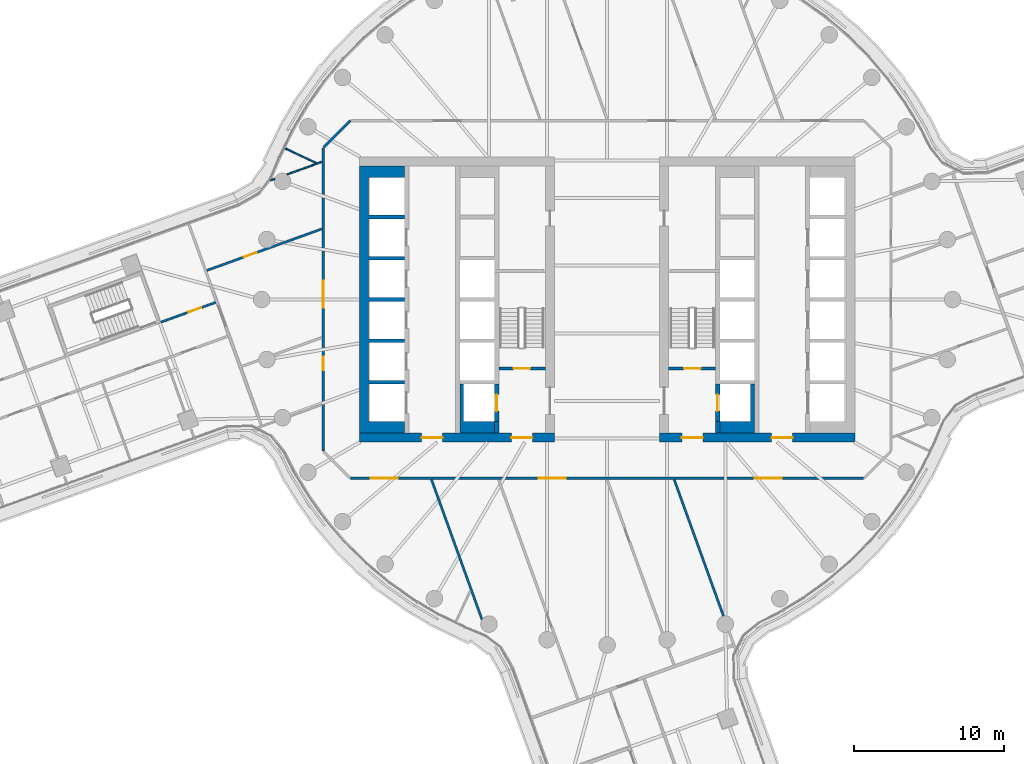
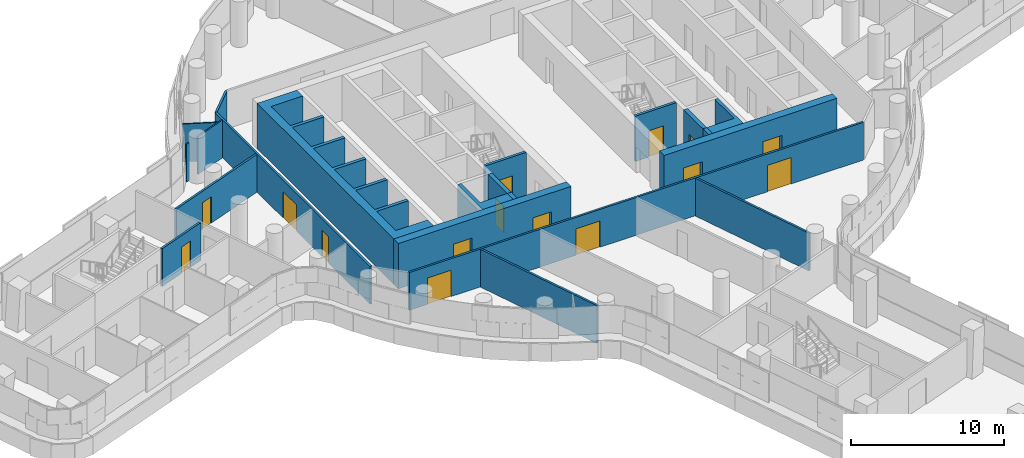
# One storey, part 19 of 30: 21 walls, 15 doors, 15 openings.
"""IFC4 building model written with IfcOpenShell, lengths in metres."""

from ifc_helpers import new_model, si_unit, direction, frame, frame_2d, origin, place, context, subcontext, project, spatial, polyline, rectangle, outline, extrude, material, layer, layer_set, type_object, element, fill, save


model = new_model("IFC4")

# Units and contexts
model_context = context("Model", 3, precision=1e-05, world=origin(), true_north=direction((0.0, 1.0)))
body_context = subcontext(model_context, "Body", "Model", "MODEL_VIEW")
ifc_project = project(units=[si_unit("LENGTHUNIT", "METRE"), si_unit("AREAUNIT", "SQUARE_METRE"), si_unit("VOLUMEUNIT", "CUBIC_METRE"), si_unit("PLANEANGLEUNIT", "RADIAN"), si_unit("MASSUNIT", "GRAM", prefix="KILO")], contexts=[model_context])

# Site, building, storey
site_placement = place(None, origin())
site = spatial("IfcSite", under=ifc_project, at=site_placement, CompositionType="ELEMENT")
building_placement = place(site_placement, origin())
building = spatial("IfcBuilding", under=site, at=building_placement, Name="Tamarind Cross Interchange Tower", CompositionType="ELEMENT")
storey_placement = place(building_placement, frame((0.0, 0.0, 106.0)))
storey = spatial("IfcBuildingStorey", under=building, at=storey_placement, Name="L25", CompositionType="ELEMENT", Elevation=106.0)

# Wall, openings, doors
ifc_material_1 = material(Name="Concrete C70", Category="concrete")
ifc_layer_1 = layer(ifc_material_1, 0.60009765625)
ifc_layer_set_1 = layer_set([ifc_layer_1], Name="Concrete C70")
wall_type_1 = type_object("IfcWallType", Name="Core wall 600 mm Concrete C70", PredefinedType="SHEAR", material=ifc_layer_set_1)
wall_1_placement = place(storey_placement, frame((-16.5, -9.199951171875, 0.0), z_axis=(0.0, 0.0, 1.0), x_axis=(1.0, 0.0, 0.0)))
wall_1 = element("IfcWall", 1, at=wall_1_placement, inside=storey, type_object=wall_type_1, Name="Core wall CWL-L25-W-S", PredefinedType="SHEAR", context=body_context, shape_type="SweptSolid", body=[
    extrude(rectangle(XDim=13.0, YDim=0.60009765625, at=frame_2d((6.5, 0.0))), origin(), (0.0, 0.0, 1.0), 3.610107421875),
])
opening_1_placement = place(wall_1_placement, frame((4.14990234375, 0.0, 0.0)))
opening_1 = element("IfcOpeningElement", 2, at=opening_1_placement, cuts=wall_1, Name="Opening DCW1", PredefinedType="OPENING", context=body_context, shape_type="SweptSolid", body=[
    extrude(rectangle(XDim=1.39990234375, YDim=2.10009765625, at=frame_2d((0.699951171875, 1.050048828125))), frame((0.0, 0.31005859375, 0.0), z_axis=(0.0, -1.0, 0.0), x_axis=(1.0, 0.0, 0.0)), (0.0, 0.0, 1.0), 0.6201171875),
])
opening_2_placement = place(wall_1_placement, frame((10.125, 0.0, 0.0)))
opening_2 = element("IfcOpeningElement", 3, at=opening_2_placement, cuts=wall_1, Name="Opening DCWF", PredefinedType="OPENING", context=body_context, shape_type="SweptSolid", body=[
    extrude(rectangle(XDim=1.39990234375, YDim=2.10009765625, at=frame_2d((0.699951171875, 1.050048828125))), frame((0.0, 0.31005859375, 0.0), z_axis=(0.0, -1.0, 0.0), x_axis=(1.0, 0.0, 0.0)), (0.0, 0.0, 1.0), 0.6201171875),
])
ifc_material_2 = material(Name="Steel, fire-resisting", Category="steel")
door_type_1 = type_object("IfcDoorType", Name="Core fire door 1400 x 2100 FD90", OperationType="SINGLE_SWING_LEFT", PredefinedType="DOOR", material=ifc_material_2)
door_1_placement = place(opening_1_placement, origin())
door_1 = element("IfcDoor", 4, at=door_1_placement, inside=storey, type_object=door_type_1, Name="L25 lift lobby door", OperationType="SINGLE_SWING_LEFT", OverallHeight=2.10009765625, OverallWidth=1.39990234375, PredefinedType="DOOR", context=body_context, shape_type="SweptSolid", body=[
    extrude(rectangle(XDim=1.39990234375, YDim=2.10009765625, at=frame_2d((0.699951171875, 1.050048828125))), frame((0.0, 0.02490234375, 0.0), z_axis=(0.0, -1.0, 0.0), x_axis=(1.0, 0.0, 0.0)), (0.0, 0.0, 1.0), 0.050048828125),
])
fill(opening_1, door_1)
door_2_placement = place(opening_2_placement, origin())
door_2 = element("IfcDoor", 5, at=door_2_placement, inside=storey, type_object=door_type_1, Name="L25 firefighting lobby end door", OperationType="SINGLE_SWING_LEFT", OverallHeight=2.10009765625, OverallWidth=1.39990234375, PredefinedType="DOOR", context=body_context, shape_type="SweptSolid", body=[
    extrude(rectangle(XDim=1.39990234375, YDim=2.10009765625, at=frame_2d((0.699951171875, 1.050048828125))), frame((0.0, 0.02490234375, 0.0), z_axis=(0.0, -1.0, 0.0), x_axis=(1.0, 0.0, 0.0)), (0.0, 0.0, 1.0), 0.050048828125),
])
fill(opening_2, door_2)

# Wall
wall_2_placement = place(storey_placement, origin())
element("IfcWall", 6, at=wall_2_placement, inside=storey, type_object=wall_type_1, Name="Core wall CWL-L25-W-A", PredefinedType="SHEAR", context=body_context, shape_type="SweptSolid", body=[
    extrude(outline(polyline([(-13.5, -8.89990234375), (-13.5, -8.125), (-15.89990234375, -8.125), (-15.89990234375, -5.625), (-13.5, -5.625), (-13.5, -5.375), (-15.89990234375, -5.375), (-15.89990234375, -2.875), (-13.5, -2.875), (-13.5, -2.625), (-15.89990234375, -2.625), (-15.89990234375, -0.125), (-13.5, -0.125), (-13.5, 0.125), (-15.89990234375, 0.125), (-15.89990234375, 2.625), (-13.5, 2.625), (-13.5, 2.875), (-15.89990234375, 2.875), (-15.89990234375, 5.375), (-13.5, 5.375), (-13.5, 5.625), (-15.89990234375, 5.625), (-15.89990234375, 8.125), (-13.5, 8.125), (-13.5, 8.89990234375), (-15.89990234375, 8.89990234375), (-16.5, 8.89990234375), (-16.5, -8.89990234375), (-15.89990234375, -8.89990234375), (-13.5, -8.89990234375)])), origin(), (0.0, 0.0, 1.0), 3.610107421875),
])

# Wall, openings, doors
wall_3_placement = place(storey_placement, frame((16.5, -9.199951171875, 0.0), z_axis=(0.0, 0.0, 1.0), x_axis=(-1.0, 0.0, 0.0)))
wall_3 = element("IfcWall", 7, at=wall_3_placement, inside=storey, type_object=wall_type_1, Name="Core wall CWL-L25-E-S", PredefinedType="SHEAR", context=body_context, shape_type="SweptSolid", body=[
    extrude(rectangle(XDim=13.0, YDim=0.60009765625, at=frame_2d((6.5, 0.0))), origin(), (0.0, 0.0, 1.0), 3.610107421875),
])
opening_3_placement = place(wall_3_placement, frame((4.14990234375, 0.0, 0.0)))
opening_3 = element("IfcOpeningElement", 8, at=opening_3_placement, cuts=wall_3, Name="Opening DCE1", PredefinedType="OPENING", context=body_context, shape_type="SweptSolid", body=[
    extrude(rectangle(XDim=1.39990234375, YDim=2.10009765625, at=frame_2d((0.699951171875, 1.050048828125))), frame((0.0, 0.31005859375, 0.0), z_axis=(0.0, -1.0, 0.0), x_axis=(1.0, 0.0, 0.0)), (0.0, 0.0, 1.0), 0.6201171875),
])
opening_4_placement = place(wall_3_placement, frame((10.125, 0.0, 0.0)))
opening_4 = element("IfcOpeningElement", 9, at=opening_4_placement, cuts=wall_3, Name="Opening DCEF", PredefinedType="OPENING", context=body_context, shape_type="SweptSolid", body=[
    extrude(rectangle(XDim=1.39990234375, YDim=2.10009765625, at=frame_2d((0.699951171875, 1.050048828125))), frame((0.0, 0.31005859375, 0.0), z_axis=(0.0, -1.0, 0.0), x_axis=(1.0, 0.0, 0.0)), (0.0, 0.0, 1.0), 0.6201171875),
])
door_3_placement = place(opening_3_placement, origin())
door_3 = element("IfcDoor", 10, at=door_3_placement, inside=storey, type_object=door_type_1, Name="L25 lift lobby door", OperationType="SINGLE_SWING_LEFT", OverallHeight=2.10009765625, OverallWidth=1.39990234375, PredefinedType="DOOR", context=body_context, shape_type="SweptSolid", body=[
    extrude(rectangle(XDim=1.39990234375, YDim=2.10009765625, at=frame_2d((0.699951171875, 1.050048828125))), frame((0.0, 0.02490234375, 0.0), z_axis=(0.0, -1.0, 0.0), x_axis=(1.0, 0.0, 0.0)), (0.0, 0.0, 1.0), 0.050048828125),
])
fill(opening_3, door_3)
door_4_placement = place(opening_4_placement, origin())
door_4 = element("IfcDoor", 11, at=door_4_placement, inside=storey, type_object=door_type_1, Name="L25 firefighting lobby end door", OperationType="SINGLE_SWING_LEFT", OverallHeight=2.10009765625, OverallWidth=1.39990234375, PredefinedType="DOOR", context=body_context, shape_type="SweptSolid", body=[
    extrude(rectangle(XDim=1.39990234375, YDim=2.10009765625, at=frame_2d((0.699951171875, 1.050048828125))), frame((0.0, 0.02490234375, 0.0), z_axis=(0.0, -1.0, 0.0), x_axis=(1.0, 0.0, 0.0)), (0.0, 0.0, 1.0), 0.050048828125),
])
fill(opening_4, door_4)

# Walls
ifc_layer_2 = layer(ifc_material_1, 0.300048828125)
ifc_layer_set_2 = layer_set([ifc_layer_2], Name="Concrete C70")
wall_type_2 = type_object("IfcWallType", Name="Core web wall 300 mm Concrete C70", PredefinedType="SHEAR", material=ifc_layer_set_2)
wall_4_placement = place(storey_placement, origin())
element("IfcWall", 12, at=wall_4_placement, inside=storey, type_object=wall_type_2, Name="Core wall CWL-L25-W-BS", PredefinedType="SHEAR", context=body_context, shape_type="SweptSolid", body=[
    extrude(outline(polyline([(-7.5, -8.125), (-9.550048828125, -8.125), (-9.550048828125, -5.625), (-9.800048828125, -5.625), (-9.800048828125, -8.125), (-9.800048828125, -8.89990234375), (-7.5, -8.89990234375), (-7.5, -8.125)])), origin(), (0.0, 0.0, 1.0), 3.610107421875),
])
wall_5_placement = place(storey_placement, frame((-7.35009765625, -8.89990234375, 0.0), z_axis=(0.0, 0.0, 1.0), x_axis=(0.0, 1.0, 0.0)))
element("IfcWall", 13, at=wall_5_placement, inside=storey, type_object=wall_type_2, Name="Core wall CWL-L25-W-BW", PredefinedType="SHEAR", context=body_context, shape_type="SweptSolid", body=[
    extrude(rectangle(XDim=0.77490234375, YDim=0.300048828125, at=frame_2d((0.387451171875, 0.0))), origin(), (0.0, 0.0, 1.0), 3.610107421875),
])

# Wall, opening, door
wall_6_placement = place(storey_placement, frame((-7.35009765625, -8.125, 0.0), z_axis=(0.0, 0.0, 1.0), x_axis=(0.0, 1.0, 0.0)))
wall_6 = element("IfcWall", 14, at=wall_6_placement, inside=storey, type_object=wall_type_2, Name="Core wall CWL-L25-W-FF", PredefinedType="SHEAR", context=body_context, shape_type="SweptSolid", body=[
    extrude(rectangle(XDim=2.5, YDim=0.300048828125, at=frame_2d((1.25, 0.0))), origin(), (0.0, 0.0, 1.0), 3.610107421875),
])
opening_5_placement = place(wall_6_placement, frame((0.699951171875, 0.0, 0.0)))
opening_5 = element("IfcOpeningElement", 15, at=opening_5_placement, cuts=wall_6, Name="Opening LD7L25", PredefinedType="OPENING", context=body_context, shape_type="SweptSolid", body=[
    extrude(rectangle(XDim=1.10009765625, YDim=2.10009765625, at=frame_2d((0.550048828125, 1.050048828125))), frame((0.0, 0.159912109375, 0.0), z_axis=(0.0, -1.0, 0.0), x_axis=(1.0, 0.0, 0.0)), (0.0, 0.0, 1.0), 0.320068359375),
])
ifc_material_3 = material(Name="Stainless steel panel", Category="steel")
door_type_2 = type_object("IfcDoorType", Name="Lift landing door 1100 x 2100 E 120", OperationType="SLIDING_TO_LEFT", PredefinedType="DOOR", material=ifc_material_3)
door_5_placement = place(opening_5_placement, origin())
door_5 = element("IfcDoor", 16, at=door_5_placement, inside=storey, type_object=door_type_2, Name="L25 landing door LF7", OperationType="SLIDING_TO_LEFT", OverallHeight=2.10009765625, OverallWidth=1.10009765625, PredefinedType="DOOR", context=body_context, shape_type="SweptSolid", body=[
    extrude(rectangle(XDim=1.10009765625, YDim=2.10009765625, at=frame_2d((0.550048828125, 1.050048828125))), frame((0.0, 0.02490234375, 0.0), z_axis=(0.0, -1.0, 0.0), x_axis=(1.0, 0.0, 0.0)), (0.0, 0.0, 1.0), 0.050048828125),
])
fill(opening_5, door_5)

# Walls
wall_7_placement = place(storey_placement, origin())
element("IfcWall", 17, at=wall_7_placement, inside=storey, type_object=wall_type_2, Name="Core wall CWL-L25-E-BS", PredefinedType="SHEAR", context=body_context, shape_type="SweptSolid", body=[
    extrude(outline(polyline([(7.5, -8.125), (7.5, -8.89990234375), (9.800048828125, -8.89990234375), (9.800048828125, -8.125), (9.800048828125, -5.625), (9.550048828125, -5.625), (9.550048828125, -8.125), (7.5, -8.125)])), origin(), (0.0, 0.0, 1.0), 3.610107421875),
])
wall_8_placement = place(storey_placement, frame((7.35009765625, -8.89990234375, 0.0), z_axis=(0.0, 0.0, 1.0), x_axis=(0.0, 1.0, 0.0)))
element("IfcWall", 18, at=wall_8_placement, inside=storey, type_object=wall_type_2, Name="Core wall CWL-L25-E-BW", PredefinedType="SHEAR", context=body_context, shape_type="SweptSolid", body=[
    extrude(rectangle(XDim=0.77490234375, YDim=0.300048828125, at=frame_2d((0.387451171875, 0.0))), origin(), (0.0, 0.0, 1.0), 3.610107421875),
])

# Wall, opening, door
wall_9_placement = place(storey_placement, frame((7.35009765625, -8.125, 0.0), z_axis=(0.0, 0.0, 1.0), x_axis=(0.0, 1.0, 0.0)))
wall_9 = element("IfcWall", 19, at=wall_9_placement, inside=storey, type_object=wall_type_2, Name="Core wall CWL-L25-E-FF", PredefinedType="SHEAR", context=body_context, shape_type="SweptSolid", body=[
    extrude(rectangle(XDim=2.5, YDim=0.300048828125, at=frame_2d((1.25, 0.0))), origin(), (0.0, 0.0, 1.0), 3.610107421875),
])
opening_6_placement = place(wall_9_placement, frame((0.699951171875, 0.0, 0.0)))
opening_6 = element("IfcOpeningElement", 20, at=opening_6_placement, cuts=wall_9, Name="Opening LD19L25", PredefinedType="OPENING", context=body_context, shape_type="SweptSolid", body=[
    extrude(rectangle(XDim=1.10009765625, YDim=2.10009765625, at=frame_2d((0.550048828125, 1.050048828125))), frame((0.0, 0.159912109375, 0.0), z_axis=(0.0, -1.0, 0.0), x_axis=(1.0, 0.0, 0.0)), (0.0, 0.0, 1.0), 0.320068359375),
])
door_6_placement = place(opening_6_placement, origin())
door_6 = element("IfcDoor", 21, at=door_6_placement, inside=storey, type_object=door_type_2, Name="L25 landing door LF19", OperationType="SLIDING_TO_LEFT", OverallHeight=2.10009765625, OverallWidth=1.10009765625, PredefinedType="DOOR", context=body_context, shape_type="SweptSolid", body=[
    extrude(rectangle(XDim=1.10009765625, YDim=2.10009765625, at=frame_2d((0.550048828125, 1.050048828125))), frame((0.0, 0.02490234375, 0.0), z_axis=(0.0, -1.0, 0.0), x_axis=(1.0, 0.0, 0.0)), (0.0, 0.0, 1.0), 0.050048828125),
])
fill(opening_6, door_6)

# Walls
ifc_material_4 = material(Name="Gypsum board partition on steel studs", Category="steel")
ifc_layer_3 = layer(ifc_material_4, 0.10009765625)
ifc_layer_set_3 = layer_set([ifc_layer_3], Name="Gypsum board partition on steel studs")
wall_type_3 = type_object("IfcWallType", Name="Partition 100 mm EI 90", PredefinedType="PARTITIONING", material=ifc_layer_set_3)
wall_10_placement = place(storey_placement, frame((-21.431884765625, 10.061279296875, 0.0), z_axis=(0.0, 0.0, 1.0), x_axis=(0.905202217212, -0.424981112467, 0.0)))
element("IfcWall", 22, at=wall_10_placement, inside=storey, type_object=wall_type_3, Name="Partition L25-038", PredefinedType="PARTITIONING", context=body_context, shape_type="SweptSolid", body=[
    extrude(rectangle(XDim=2.262939453125, YDim=0.10009765625, at=frame_2d((1.13134765625, 0.0))), origin(), (0.0, 0.0, 1.0), 3.010009765625),
])
wall_11_placement = place(storey_placement, frame((-22.41455078125, 7.93017578125, 0.0), z_axis=(0.0, 0.0, 1.0), x_axis=(0.940447136325, 0.339939970845, 0.0)))
element("IfcWall", 23, at=wall_11_placement, inside=storey, type_object=wall_type_3, Name="Partition L25-050", PredefinedType="PARTITIONING", context=body_context, shape_type="SweptSolid", body=[
    extrude(rectangle(XDim=0.304443359375, YDim=0.10009765625, at=frame_2d((0.15234375, 0.0))), origin(), (0.0, 0.0, 1.0), 3.010009765625),
])
wall_12_placement = place(storey_placement, frame((-21.310302734375, 8.328857421875, 0.0), z_axis=(0.0, 0.0, 1.0), x_axis=(0.94058618195, 0.339555053452, 0.0)))
element("IfcWall", 24, at=wall_12_placement, inside=storey, type_object=wall_type_3, Name="Partition L25-051", PredefinedType="PARTITIONING", context=body_context, shape_type="SweptSolid", body=[
    extrude(rectangle(XDim=2.482666015625, YDim=0.10009765625, at=frame_2d((1.2412109375, 0.0))), origin(), (0.0, 0.0, 1.0), 3.010009765625),
])
ifc_layer_4 = layer(ifc_material_4, 0.14990234375)
ifc_layer_set_4 = layer_set([ifc_layer_4], Name="Gypsum board partition on steel studs")
wall_type_4 = type_object("IfcWallType", Name="Partition 150 mm EI 120", PredefinedType="PARTITIONING", material=ifc_layer_set_4)
wall_13_placement = place(storey_placement, frame((-11.6962890625, -11.984619140625, 0.0), z_axis=(0.0, 0.0, 1.0), x_axis=(0.339658380715, -0.940548874015, 0.0)))
element("IfcWall", 25, at=wall_13_placement, inside=storey, type_object=wall_type_4, Name="Partition L25-010", PredefinedType="PARTITIONING", context=body_context, shape_type="SweptSolid", body=[
    extrude(rectangle(XDim=9.914794921875, YDim=0.14990234375, at=frame_2d((4.95751953125, 0.0))), origin(), (0.0, 0.0, 1.0), 3.010009765625),
])
wall_14_placement = place(storey_placement, frame((4.464599609375, -11.984619140625, 0.0), z_axis=(0.0, 0.0, 1.0), x_axis=(0.33957004788, -0.940580768771, 0.0)))
element("IfcWall", 26, at=wall_14_placement, inside=storey, type_object=wall_type_4, Name="Partition L25-027", PredefinedType="PARTITIONING", context=body_context, shape_type="SweptSolid", body=[
    extrude(rectangle(XDim=9.674560546875, YDim=0.14990234375, at=frame_2d((4.83740234375, 0.0))), origin(), (0.0, 0.0, 1.0), 3.010009765625),
])

# Wall, openings, doors
wall_15_placement = place(storey_placement, frame((-17.10009765625, -11.89990234375, 0.0), z_axis=(0.0, 0.0, 1.0), x_axis=(1.0, 0.0, 0.0)))
wall_15 = element("IfcWall", 27, at=wall_15_placement, inside=storey, type_object=wall_type_4, Name="Partition L25-040", PredefinedType="PARTITIONING", context=body_context, shape_type="SweptSolid", body=[
    extrude(rectangle(XDim=34.1650390625, YDim=0.14990234375, at=frame_2d((17.08251953125, 0.0))), origin(), (0.0, 0.0, 1.0), 3.010009765625),
])
opening_7_placement = place(wall_15_placement, frame((12.5390625, 0.0, 0.0)))
opening_7 = element("IfcOpeningElement", 28, at=opening_7_placement, cuts=wall_15, Name="Opening D17", PredefinedType="OPENING", context=body_context, shape_type="SweptSolid", body=[
    extrude(rectangle(XDim=1.800048828125, YDim=2.10009765625, at=frame_2d((0.89990234375, 1.050048828125))), frame((0.0, 0.0849609375, 0.0), z_axis=(0.0, -1.0, 0.0), x_axis=(1.0, 0.0, 0.0)), (0.0, 0.0, 1.0), 0.169921875),
])
opening_8_placement = place(wall_15_placement, frame((1.35009765625, 0.0, 0.0)))
opening_8 = element("IfcOpeningElement", 29, at=opening_8_placement, cuts=wall_15, Name="Opening D18", PredefinedType="OPENING", context=body_context, shape_type="SweptSolid", body=[
    extrude(rectangle(XDim=1.800048828125, YDim=2.10009765625, at=frame_2d((0.89990234375, 1.050048828125))), frame((0.0, 0.0849609375, 0.0), z_axis=(0.0, -1.0, 0.0), x_axis=(1.0, 0.0, 0.0)), (0.0, 0.0, 1.0), 0.169921875),
])
opening_9_placement = place(wall_15_placement, frame((26.93408203125, 0.0, 0.0)))
opening_9 = element("IfcOpeningElement", 30, at=opening_9_placement, cuts=wall_15, Name="Opening D19", PredefinedType="OPENING", context=body_context, shape_type="SweptSolid", body=[
    extrude(rectangle(XDim=1.800048828125, YDim=2.10009765625, at=frame_2d((0.89990234375, 1.050048828125))), frame((0.0, 0.0849609375, 0.0), z_axis=(0.0, -1.0, 0.0), x_axis=(1.0, 0.0, 0.0)), (0.0, 0.0, 1.0), 0.169921875),
])
ifc_material_5 = material(Name="Fire-resisting door set")
door_type_3 = type_object("IfcDoorType", Name="Interior door 1800 x 2100 FD60S", OperationType="DOUBLE_DOOR_SINGLE_SWING", PredefinedType="DOOR", material=ifc_material_5)
door_7_placement = place(opening_7_placement, origin())
door_7 = element("IfcDoor", 31, at=door_7_placement, inside=storey, type_object=door_type_3, Name="Door D17", OperationType="DOUBLE_DOOR_SINGLE_SWING", OverallHeight=2.10009765625, OverallWidth=1.800048828125, PredefinedType="DOOR", context=body_context, shape_type="SweptSolid", body=[
    extrude(rectangle(XDim=1.800048828125, YDim=2.10009765625, at=frame_2d((0.89990234375, 1.050048828125))), frame((0.0, 0.02490234375, 0.0), z_axis=(0.0, -1.0, 0.0), x_axis=(1.0, 0.0, 0.0)), (0.0, 0.0, 1.0), 0.050048828125),
])
fill(opening_7, door_7)
door_8_placement = place(opening_8_placement, frame((1.800048828125, 0.0, 0.0), z_axis=(0.0, 0.0, 1.0), x_axis=(-1.0, 0.0, 0.0)))
door_8 = element("IfcDoor", 32, at=door_8_placement, inside=storey, type_object=door_type_3, Name="Door D18", OperationType="DOUBLE_DOOR_SINGLE_SWING", OverallHeight=2.10009765625, OverallWidth=1.800048828125, PredefinedType="DOOR", context=body_context, shape_type="SweptSolid", body=[
    extrude(rectangle(XDim=1.800048828125, YDim=2.10009765625, at=frame_2d((0.89990234375, 1.050048828125))), frame((0.0, 0.02490234375, 0.0), z_axis=(0.0, -1.0, 0.0), x_axis=(1.0, 0.0, 0.0)), (0.0, 0.0, 1.0), 0.050048828125),
])
fill(opening_8, door_8)
door_9_placement = place(opening_9_placement, frame((1.800048828125, 0.0, 0.0), z_axis=(0.0, 0.0, 1.0), x_axis=(-1.0, 0.0, 0.0)))
door_9 = element("IfcDoor", 33, at=door_9_placement, inside=storey, type_object=door_type_3, Name="Door D19", OperationType="DOUBLE_DOOR_SINGLE_SWING", OverallHeight=2.10009765625, OverallWidth=1.800048828125, PredefinedType="DOOR", context=body_context, shape_type="SweptSolid", body=[
    extrude(rectangle(XDim=1.800048828125, YDim=2.10009765625, at=frame_2d((0.89990234375, 1.050048828125))), frame((0.0, 0.02490234375, 0.0), z_axis=(0.0, -1.0, 0.0), x_axis=(1.0, 0.0, 0.0)), (0.0, 0.0, 1.0), 0.050048828125),
])
fill(opening_9, door_9)

# Wall, opening, door
wall_16_placement = place(storey_placement, frame((-29.706298828125, -1.506591796875, 0.0), z_axis=(0.0, 0.0, 1.0), x_axis=(0.940581781259, 0.339567243361, 0.0)))
wall_16 = element("IfcWall", 34, at=wall_16_placement, inside=storey, type_object=wall_type_4, Name="Partition L25-043", PredefinedType="PARTITIONING", context=body_context, shape_type="SweptSolid", body=[
    extrude(rectangle(XDim=3.884521484375, YDim=0.14990234375, at=frame_2d((1.9423828125, 0.0))), origin(), (0.0, 0.0, 1.0), 3.010009765625),
])
opening_10_placement = place(wall_16_placement, frame((1.949951171875, 0.0, 0.0)))
opening_10 = element("IfcOpeningElement", 35, at=opening_10_placement, cuts=wall_16, Name="Opening D24", PredefinedType="OPENING", context=body_context, shape_type="SweptSolid", body=[
    extrude(rectangle(XDim=0.89990234375, YDim=2.10009765625, at=frame_2d((0.449951171875, 1.050048828125))), frame((0.0, 0.0849609375, 0.0), z_axis=(0.0, -1.0, 0.0), x_axis=(1.0, 0.0, 0.0)), (0.0, 0.0, 1.0), 0.169921875),
])
door_type_4 = type_object("IfcDoorType", Name="Interior door 900 x 2100 FD60S", OperationType="SINGLE_SWING_LEFT", PredefinedType="DOOR", material=ifc_material_5)
door_10_placement = place(opening_10_placement, origin())
door_10 = element("IfcDoor", 36, at=door_10_placement, inside=storey, type_object=door_type_4, Name="Door D24", OperationType="SINGLE_SWING_LEFT", OverallHeight=2.10009765625, OverallWidth=0.89990234375, PredefinedType="DOOR", context=body_context, shape_type="SweptSolid", body=[
    extrude(rectangle(XDim=0.89990234375, YDim=2.10009765625, at=frame_2d((0.449951171875, 1.050048828125))), frame((0.0, 0.02490234375, 0.0), z_axis=(0.0, -1.0, 0.0), x_axis=(1.0, 0.0, 0.0)), (0.0, 0.0, 1.0), 0.050048828125),
])
fill(opening_10, door_10)

wall_17_placement = place(storey_placement, frame((-26.658447265625, 1.93359375, 0.0), z_axis=(0.0, 0.0, 1.0), x_axis=(0.940605935864, 0.33950032904, 0.0)))
wall_17 = element("IfcWall", 37, at=wall_17_placement, inside=storey, type_object=wall_type_4, Name="Partition L25-045", PredefinedType="PARTITIONING", context=body_context, shape_type="SweptSolid", body=[
    extrude(rectangle(XDim=8.158447265625, YDim=0.14990234375, at=frame_2d((4.0791015625, 0.0))), origin(), (0.0, 0.0, 1.0), 3.010009765625),
])
opening_11_placement = place(wall_17_placement, frame((2.625, 0.0, 0.0)))
opening_11 = element("IfcOpeningElement", 38, at=opening_11_placement, cuts=wall_17, Name="Opening D29", PredefinedType="OPENING", context=body_context, shape_type="SweptSolid", body=[
    extrude(rectangle(XDim=0.89990234375, YDim=2.10009765625, at=frame_2d((0.449951171875, 1.050048828125))), frame((0.0, 0.0849609375, 0.0), z_axis=(0.0, -1.0, 0.0), x_axis=(1.0, 0.0, 0.0)), (0.0, 0.0, 1.0), 0.169921875),
])
door_11_placement = place(opening_11_placement, origin())
door_11 = element("IfcDoor", 39, at=door_11_placement, inside=storey, type_object=door_type_4, Name="Door D29", OperationType="SINGLE_SWING_RIGHT", OverallHeight=2.10009765625, OverallWidth=0.89990234375, PredefinedType="DOOR", context=body_context, shape_type="SweptSolid", body=[
    extrude(rectangle(XDim=0.89990234375, YDim=2.10009765625, at=frame_2d((0.449951171875, 1.050048828125))), frame((0.0, 0.02490234375, 0.0), z_axis=(0.0, -1.0, 0.0), x_axis=(1.0, 0.0, 0.0)), (0.0, 0.0, 1.0), 0.050048828125),
])
fill(opening_11, door_11)

# Wall
wall_18_placement = place(storey_placement, frame((-18.87158203125, 10.12841796875, 0.0), z_axis=(0.0, 0.0, 1.0), x_axis=(0.707106781187, 0.707106781187, 0.0)))
element("IfcWall", 40, at=wall_18_placement, inside=storey, type_object=wall_type_4, Name="Partition L25-071", PredefinedType="PARTITIONING", context=body_context, shape_type="SweptSolid", body=[
    extrude(rectangle(XDim=2.50537109375, YDim=0.14990234375, at=frame_2d((1.252685546875, 0.0))), origin(), (0.0, 0.0, 1.0), 3.010009765625),
])

# Wall, openings, doors
wall_19_placement = place(storey_placement, frame((-18.89990234375, -10.10009765625, 0.0), z_axis=(0.0, 0.0, 1.0), x_axis=(0.0, 1.0, 0.0)))
wall_19 = element("IfcWall", 41, at=wall_19_placement, inside=storey, type_object=wall_type_4, Name="Partition L25-075", PredefinedType="PARTITIONING", context=body_context, shape_type="SweptSolid", body=[
    extrude(rectangle(XDim=20.2001953125, YDim=0.14990234375, at=frame_2d((10.10009765625, 0.0))), origin(), (0.0, 0.0, 1.0), 3.010009765625),
])
opening_12_placement = place(wall_19_placement, frame((9.553955078125, 0.0, 0.0)))
opening_12 = element("IfcOpeningElement", 42, at=opening_12_placement, cuts=wall_19, Name="Opening D38", PredefinedType="OPENING", context=body_context, shape_type="SweptSolid", body=[
    extrude(rectangle(XDim=1.800048828125, YDim=2.10009765625, at=frame_2d((0.89990234375, 1.050048828125))), frame((0.0, 0.0849609375, 0.0), z_axis=(0.0, -1.0, 0.0), x_axis=(1.0, 0.0, 0.0)), (0.0, 0.0, 1.0), 0.169921875),
])
opening_13_placement = place(wall_19_placement, frame((5.388916015625, 0.0, 0.0)))
opening_13 = element("IfcOpeningElement", 43, at=opening_13_placement, cuts=wall_19, Name="Opening D39", PredefinedType="OPENING", context=body_context, shape_type="SweptSolid", body=[
    extrude(rectangle(XDim=0.89990234375, YDim=2.10009765625, at=frame_2d((0.449951171875, 1.050048828125))), frame((0.0, 0.0849609375, 0.0), z_axis=(0.0, -1.0, 0.0), x_axis=(1.0, 0.0, 0.0)), (0.0, 0.0, 1.0), 0.169921875),
])
door_12_placement = place(opening_12_placement, frame((1.800048828125, 0.0, 0.0), z_axis=(0.0, 0.0, 1.0), x_axis=(-1.0, 0.0, 0.0)))
door_12 = element("IfcDoor", 44, at=door_12_placement, inside=storey, type_object=door_type_3, Name="Door D38", OperationType="DOUBLE_DOOR_SINGLE_SWING", OverallHeight=2.10009765625, OverallWidth=1.800048828125, PredefinedType="DOOR", context=body_context, shape_type="SweptSolid", body=[
    extrude(rectangle(XDim=1.800048828125, YDim=2.10009765625, at=frame_2d((0.89990234375, 1.050048828125))), frame((0.0, 0.02490234375, 0.0), z_axis=(0.0, -1.0, 0.0), x_axis=(1.0, 0.0, 0.0)), (0.0, 0.0, 1.0), 0.050048828125),
])
fill(opening_12, door_12)
door_13_placement = place(opening_13_placement, origin())
door_13 = element("IfcDoor", 45, at=door_13_placement, inside=storey, type_object=door_type_4, Name="Door D39", OperationType="SINGLE_SWING_RIGHT", OverallHeight=2.10009765625, OverallWidth=0.89990234375, PredefinedType="DOOR", context=body_context, shape_type="SweptSolid", body=[
    extrude(rectangle(XDim=0.89990234375, YDim=2.10009765625, at=frame_2d((0.449951171875, 1.050048828125))), frame((0.0, 0.02490234375, 0.0), z_axis=(0.0, -1.0, 0.0), x_axis=(1.0, 0.0, 0.0)), (0.0, 0.0, 1.0), 0.050048828125),
])
fill(opening_13, door_13)

# Wall, opening, door
ifc_material_6 = material(Name="Concrete C40", Category="concrete")
ifc_layer_5 = layer(ifc_material_6, 0.199951171875)
ifc_layer_set_5 = layer_set([ifc_layer_5], Name="Concrete C40")
wall_type_5 = type_object("IfcWallType", Name="Stair shaft wall 200 mm Concrete C40", PredefinedType="SHEAR", material=ifc_layer_set_5)
wall_20_placement = place(storey_placement, frame((-7.199951171875, -4.60009765625, 0.0), z_axis=(0.0, 0.0, 1.0), x_axis=(1.0, 0.0, 0.0)))
wall_20 = element("IfcWall", 46, at=wall_20_placement, inside=storey, type_object=wall_type_5, Name="Core wall CWL-L25-W-SD", PredefinedType="SHEAR", context=body_context, shape_type="SweptSolid", body=[
    extrude(rectangle(XDim=3.099853515625, YDim=0.199951171875, at=frame_2d((1.5498046875, 0.0))), origin(), (0.0, 0.0, 1.0), 3.610107421875),
])
opening_14_placement = place(wall_20_placement, frame((0.97509765625, 0.0, 0.0)))
opening_14 = element("IfcOpeningElement", 47, at=opening_14_placement, cuts=wall_20, Name="Opening DCW6", PredefinedType="OPENING", context=body_context, shape_type="SweptSolid", body=[
    extrude(rectangle(XDim=1.10009765625, YDim=2.10009765625, at=frame_2d((0.550048828125, 1.050048828125))), frame((0.0, 0.10986328125, 0.0), z_axis=(0.0, -1.0, 0.0), x_axis=(1.0, 0.0, 0.0)), (0.0, 0.0, 1.0), 0.219970703125),
])
door_type_5 = type_object("IfcDoorType", Name="Core fire door 1100 x 2100 FD90", OperationType="SINGLE_SWING_LEFT", PredefinedType="DOOR", material=ifc_material_2)
door_14_placement = place(opening_14_placement, origin())
door_14 = element("IfcDoor", 48, at=door_14_placement, inside=storey, type_object=door_type_5, Name="L25 stair door", OperationType="SINGLE_SWING_LEFT", OverallHeight=2.10009765625, OverallWidth=1.10009765625, PredefinedType="DOOR", context=body_context, shape_type="SweptSolid", body=[
    extrude(rectangle(XDim=1.10009765625, YDim=2.10009765625, at=frame_2d((0.550048828125, 1.050048828125))), frame((0.0, 0.02490234375, 0.0), z_axis=(0.0, -1.0, 0.0), x_axis=(1.0, 0.0, 0.0)), (0.0, 0.0, 1.0), 0.050048828125),
])
fill(opening_14, door_14)

wall_21_placement = place(storey_placement, frame((7.199951171875, -4.60009765625, 0.0), z_axis=(0.0, 0.0, 1.0), x_axis=(-1.0, 0.0, 0.0)))
wall_21 = element("IfcWall", 49, at=wall_21_placement, inside=storey, type_object=wall_type_5, Name="Core wall CWL-L25-E-SD", PredefinedType="SHEAR", context=body_context, shape_type="SweptSolid", body=[
    extrude(rectangle(XDim=3.099853515625, YDim=0.199951171875, at=frame_2d((1.5498046875, 0.0))), origin(), (0.0, 0.0, 1.0), 3.610107421875),
])
opening_15_placement = place(wall_21_placement, frame((0.97509765625, 0.0, 0.0)))
opening_15 = element("IfcOpeningElement", 50, at=opening_15_placement, cuts=wall_21, Name="Opening DCE6", PredefinedType="OPENING", context=body_context, shape_type="SweptSolid", body=[
    extrude(rectangle(XDim=1.10009765625, YDim=2.10009765625, at=frame_2d((0.550048828125, 1.050048828125))), frame((0.0, 0.10986328125, 0.0), z_axis=(0.0, -1.0, 0.0), x_axis=(1.0, 0.0, 0.0)), (0.0, 0.0, 1.0), 0.219970703125),
])
door_15_placement = place(opening_15_placement, origin())
door_15 = element("IfcDoor", 51, at=door_15_placement, inside=storey, type_object=door_type_5, Name="L25 stair door", OperationType="SINGLE_SWING_LEFT", OverallHeight=2.10009765625, OverallWidth=1.10009765625, PredefinedType="DOOR", context=body_context, shape_type="SweptSolid", body=[
    extrude(rectangle(XDim=1.10009765625, YDim=2.10009765625, at=frame_2d((0.550048828125, 1.050048828125))), frame((0.0, 0.02490234375, 0.0), z_axis=(0.0, -1.0, 0.0), x_axis=(1.0, 0.0, 0.0)), (0.0, 0.0, 1.0), 0.050048828125),
])
fill(opening_15, door_15)

save(model, "model.ifc")
